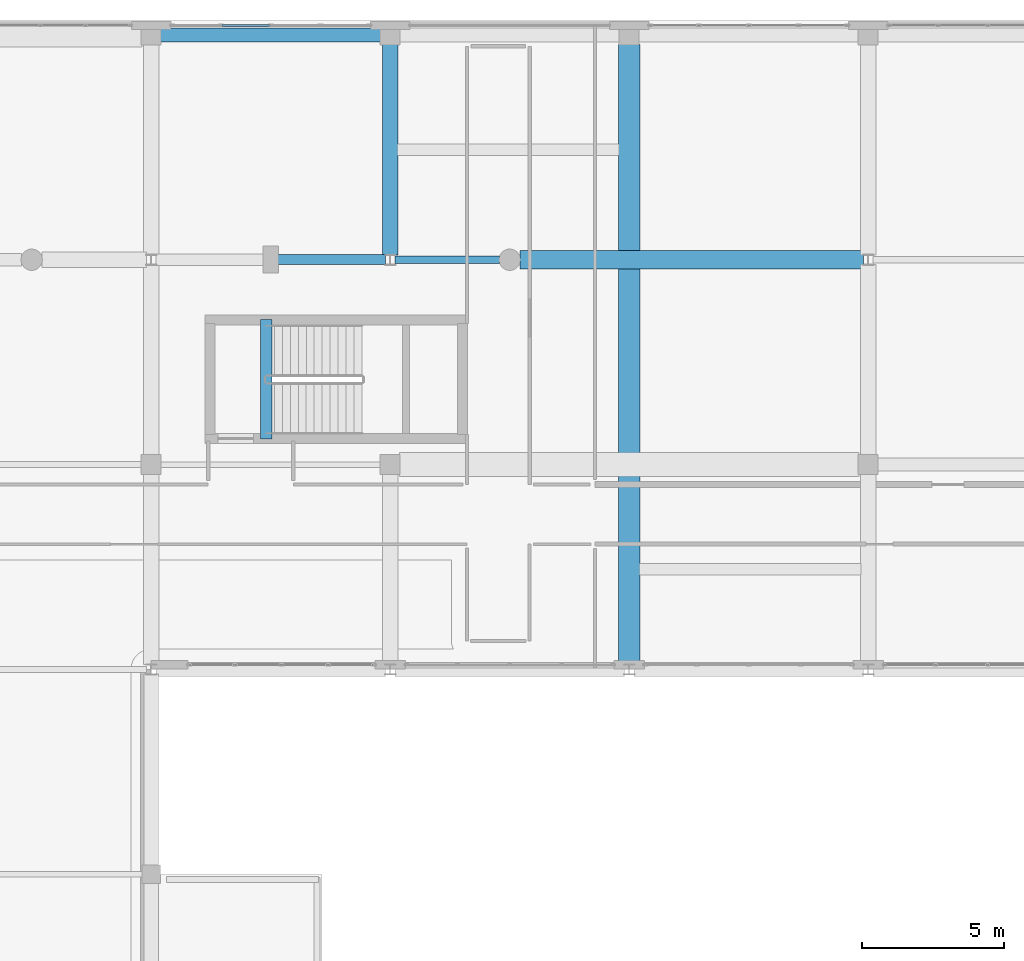
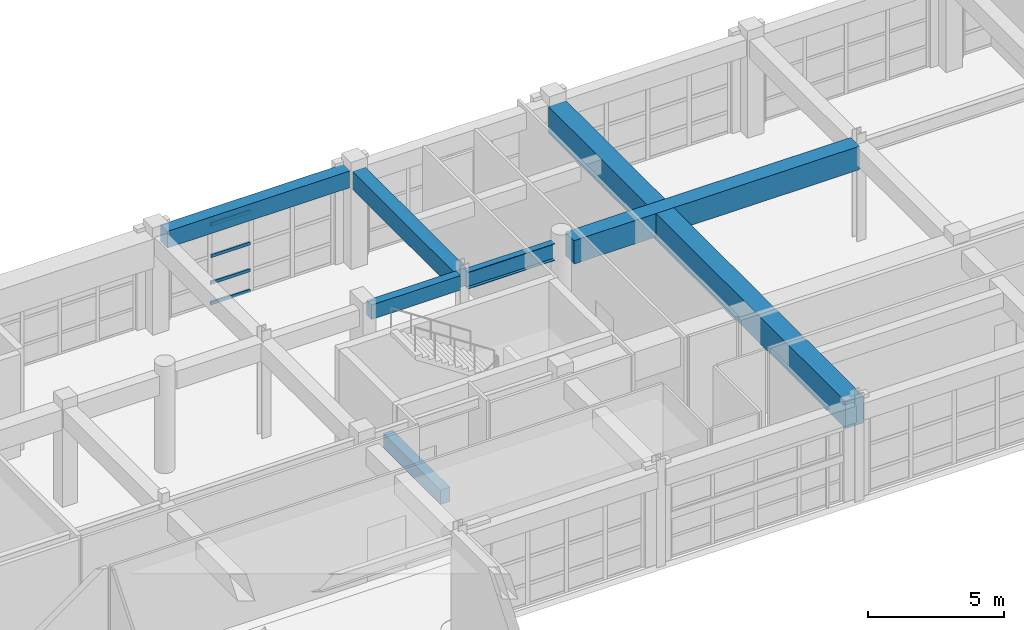
# One storey, part 71 of 123: 7 beams, 4 members, 1 element without a shape of its own.
"""IFC4 building model written with IfcOpenShell, lengths in metres."""

from ifc_helpers import new_model, si_unit, direction, frame, origin, origin_2d, place, context, subcontext, project, spatial, rectangle, hollow_rectangle, i_section, extrude, material, layer, layer_set, material_profile, profile_set, type_object, element, aggregate, save


model = new_model("IFC4")

# Units and contexts
model_context = context("Model", 3, precision=1e-05, world=origin(), true_north=direction((0.0, 1.0)))
body_context = subcontext(model_context, "Body", "Model", "MODEL_VIEW")
ifc_project = project(units=[si_unit("LENGTHUNIT", "METRE"), si_unit("AREAUNIT", "SQUARE_METRE"), si_unit("VOLUMEUNIT", "CUBIC_METRE"), si_unit("PLANEANGLEUNIT", "RADIAN"), si_unit("MASSUNIT", "GRAM", prefix="KILO")], contexts=[model_context])

# Site, building, storey
site_placement = place(None, origin())
site = spatial("IfcSite", under=ifc_project, at=site_placement, CompositionType="ELEMENT")
building_placement = place(site_placement, origin())
building = spatial("IfcBuilding", under=site, at=building_placement, Name="Quendrovan Civic Courthouse", CompositionType="ELEMENT")
storey_placement = place(building_placement, frame((0.0, 0.0, 5.39990234375)))
storey = spatial("IfcBuildingStorey", under=building, at=storey_placement, Name="L02", CompositionType="ELEMENT", Elevation=5.39990234375)

# Beams
ifc_material_1 = material(Name="Post-tensioned concrete C50/60", Category="concrete")
ifc_material_profile_1 = material_profile(ifc_material_1, rectangle(XDim=0.64990234375, YDim=1.050048828125, at=origin_2d()), Name="PT-GRD-650x1050")
ifc_profile_set_1 = profile_set([ifc_material_profile_1], Name="Post-tensioned concrete C50/60")
beam_type_1 = type_object("IfcBeamType", Name="BM-PT1050", PredefinedType="BEAM", material=ifc_profile_set_1)
beam_1_placement = place(storey_placement, frame((122.155029296875, 102.0, 3.835205078125), z_axis=(1.0, 0.0, 0.0), x_axis=(0.0, 1.0, 0.0)))
element("IfcBeam", 1, at=beam_1_placement, inside=storey, type_object=beam_type_1, Name="L02 Girder X0587", PredefinedType="BEAM", context=body_context, shape_type="SweptSolid", body=[
    extrude(rectangle(XDim=0.64990234375, YDim=1.050048828125, at=origin_2d()), origin(), (0.0, 0.0, 1.0), 12.077880859375),
])
ifc_material_profile_2 = material_profile(ifc_material_1, rectangle(XDim=0.75, YDim=1.199951171875, at=origin_2d()), Name="PT-GIRD-750x1200")
ifc_profile_set_2 = profile_set([ifc_material_profile_2], Name="Post-tensioned concrete C50/60")
beam_type_2 = type_object("IfcBeamType", Name="BM-PT1200", PredefinedType="BEAM", material=ifc_profile_set_2)
beam_2_placement = place(storey_placement, frame((126.0, 87.76611328125, 3.760009765625), z_axis=(0.0, 1.0, 0.0), x_axis=(-1.0, 0.0, 0.0)))
element("IfcBeam", 2, at=beam_2_placement, inside=storey, type_object=beam_type_2, Name="L02 Girder Y0698", PredefinedType="BEAM", context=body_context, shape_type="SweptSolid", body=[
    extrude(rectangle(XDim=0.75, YDim=1.199951171875, at=origin_2d()), origin(), (0.0, 0.0, 1.0), 21.803955078125),
])
ifc_material_2 = material(Name="Concrete C40/50", Category="concrete")
ifc_material_profile_3 = material_profile(ifc_material_2, rectangle(XDim=0.39990234375, YDim=0.64990234375, at=origin_2d()), Name="RC-BM-400x650")
ifc_profile_set_3 = profile_set([ifc_material_profile_3], Name="Concrete C40/50")
beam_type_3 = type_object("IfcBeamType", Name="BM-RC650", PredefinedType="JOIST", material=ifc_profile_set_3)
beam_3_placement = place(storey_placement, frame((113.25, 95.699951171875, -0.324951171875), z_axis=(0.0, 1.0, 0.0), x_axis=(-1.0, 0.0, 0.0)))
element("IfcBeam", 3, at=beam_3_placement, inside=storey, type_object=beam_type_3, Name="L02 Stair ST6 Landing Trimmer Beam", PredefinedType="JOIST", context=body_context, shape_type="SweptSolid", body=[
    extrude(rectangle(XDim=0.39990234375, YDim=0.64990234375, at=origin_2d()), origin(), (0.0, 0.0, 1.0), 4.199951171875),
])
ifc_material_profile_4 = material_profile(ifc_material_2, rectangle(XDim=0.35009765625, YDim=0.64990234375, at=origin_2d()), Name="RC-BM-350x650")
ifc_profile_set_4 = profile_set([ifc_material_profile_4], Name="Concrete C40/50")
beam_type_4 = type_object("IfcBeamType", Name="BM-RC650B", PredefinedType="BEAM", material=ifc_profile_set_4)
beam_4_placement = place(storey_placement, frame((113.655029296875, 102.0, 4.03515625), z_axis=(1.0, 0.0, 0.0), x_axis=(0.0, 1.0, 0.0)))
element("IfcBeam", 4, at=beam_4_placement, inside=storey, type_object=beam_type_4, Name="L02 Girder X0585", PredefinedType="BEAM", context=body_context, shape_type="SweptSolid", body=[
    extrude(rectangle(XDim=0.35009765625, YDim=0.64990234375, at=origin_2d()), origin(), (0.0, 0.0, 1.0), 3.778076171875),
])
ifc_material_profile_5 = material_profile(ifc_material_2, rectangle(XDim=0.5, YDim=0.75, at=origin_2d()), Name="RC-BM-500x750")
ifc_profile_set_5 = profile_set([ifc_material_profile_5], Name="Concrete C40/50")
beam_type_5 = type_object("IfcBeamType", Name="BM-RC750", PredefinedType="SPANDREL", material=ifc_profile_set_5)
beam_5_placement = place(storey_placement, frame((109.530029296875, 109.89990234375, 3.985107421875), z_axis=(1.0, 0.0, 0.0), x_axis=(0.0, 1.0, 0.0)))
element("IfcBeam", 5, at=beam_5_placement, inside=storey, type_object=beam_type_5, Name="L02 Girder X0599", PredefinedType="SPANDREL", context=body_context, shape_type="SweptSolid", body=[
    extrude(rectangle(XDim=0.5, YDim=0.75, at=origin_2d()), origin(), (0.0, 0.0, 1.0), 7.739990234375),
])
ifc_material_profile_6 = material_profile(ifc_material_2, rectangle(XDim=0.550048828125, YDim=0.800048828125, at=origin_2d()), Name="RC-BM-550x800")
ifc_profile_set_6 = profile_set([ifc_material_profile_6], Name="Concrete C40/50")
beam_type_6 = type_object("IfcBeamType", Name="BM-RC800", PredefinedType="BEAM", material=ifc_profile_set_6)
beam_6_placement = place(storey_placement, frame((117.60009765625, 102.166015625, 3.960205078125), z_axis=(0.0, 1.0, 0.0), x_axis=(-1.0, 0.0, 0.0)))
element("IfcBeam", 6, at=beam_6_placement, inside=storey, type_object=beam_type_6, Name="L02 Girder Y0697", PredefinedType="BEAM", context=body_context, shape_type="SweptSolid", body=[
    extrude(rectangle(XDim=0.550048828125, YDim=0.800048828125, at=origin_2d()), origin(), (0.0, 0.0, 1.0), 7.404052734375),
])
ifc_material_3 = material(Name="Steel ASTM A992 Grade 50", Category="steel")
ifc_material_profile_7 = material_profile(ifc_material_3, i_section(OverallWidth=0.26611328125, OverallDepth=0.758056640625, WebThickness=0.013916015625, FlangeThickness=0.019287109375, at=origin_2d()), Name="W30X108")
ifc_profile_set_7 = profile_set([ifc_material_profile_7], Name="Steel ASTM A992 Grade 50")
beam_type_7 = type_object("IfcBeamType", Name="BM-STL-W30", PredefinedType="BEAM", material=ifc_profile_set_7)
beam_7_placement = place(storey_placement, frame((117.76708984375, 102.0, 3.981201171875), z_axis=(1.0, 0.0, 0.0), x_axis=(0.0, 1.0, 0.0)))
element("IfcBeam", 7, at=beam_7_placement, inside=storey, type_object=beam_type_7, Name="L02 Girder X0586", PredefinedType="BEAM", context=body_context, shape_type="SweptSolid", body=[
    extrude(i_section(OverallWidth=0.26611328125, OverallDepth=0.758056640625, WebThickness=0.013916015625, FlangeThickness=0.019287109375, at=origin_2d()), origin(), (0.0, 0.0, 1.0), 3.677978515625),
])

# Curtain wall, members
ifc_material_4 = material(Name="Bronze anodised aluminium and low-E glass", Category="aluminium")
ifc_layer = layer(ifc_material_4, 0.179931640625, Name="Bronze anodised aluminium and low-E glass")
ifc_layer_set = layer_set([ifc_layer], Name="Bronze anodised aluminium and low-E glass")
curtain_wall_type = type_object("IfcCurtainWallType", Name="CW-U70x36", PredefinedType="USERDEFINED", material=ifc_layer_set)
curtain_wall_placement = place(storey_placement, origin())
curtain_wall = element("IfcCurtainWall", 8, at=curtain_wall_placement, inside=storey, type_object=curtain_wall_type, Name="L02 Unitised Hurricane Curtain Wall CW-090", ObjectType="UNITISED CURTAIN WALL", PredefinedType="USERDEFINED")
ifc_material_5 = material(Name="Bronze anodised aluminium", Category="aluminium")
ifc_material_profile_8 = material_profile(ifc_material_5, hollow_rectangle(XDim=0.070068359375, YDim=0.139892578125, WallThickness=0.00390625, at=origin_2d()), Name="CW-TRAN-70x140")
ifc_profile_set_8 = profile_set([ifc_material_profile_8], Name="Bronze anodised aluminium")
member_type = type_object("IfcMemberType", Name="CW-TRAN-A", PredefinedType="USERDEFINED", material=ifc_profile_set_8)
member_1_placement = place(storey_placement, frame((111.68505859375, 110.235107421875, 0.03515625), z_axis=(1.0, 0.0, 0.0), x_axis=(0.0, 1.0, 0.0)))
member_1 = element("IfcMember", 9, at=member_1_placement, type_object=member_type, Name="CW-090 transom 2.1", ObjectType="TRANSOM", PredefinedType="USERDEFINED", context=body_context, shape_type="SweptSolid", body=[
    extrude(hollow_rectangle(XDim=0.070068359375, YDim=0.139892578125, WallThickness=0.00390625, at=origin_2d()), origin(), (0.0, 0.0, 1.0), 1.679931640625),
])
member_2_placement = place(storey_placement, frame((111.68505859375, 110.235107421875, 0.9501953125), z_axis=(1.0, 0.0, 0.0), x_axis=(0.0, 1.0, 0.0)))
member_2 = element("IfcMember", 10, at=member_2_placement, type_object=member_type, Name="CW-090 transom 2.2", ObjectType="TRANSOM", PredefinedType="USERDEFINED", context=body_context, shape_type="SweptSolid", body=[
    extrude(hollow_rectangle(XDim=0.070068359375, YDim=0.139892578125, WallThickness=0.00390625, at=origin_2d()), origin(), (0.0, 0.0, 1.0), 1.679931640625),
])
member_3_placement = place(storey_placement, frame((111.68505859375, 110.235107421875, 2.150146484375), z_axis=(1.0, 0.0, 0.0), x_axis=(0.0, 1.0, 0.0)))
member_3 = element("IfcMember", 11, at=member_3_placement, type_object=member_type, Name="CW-090 transom 2.3", ObjectType="TRANSOM", PredefinedType="USERDEFINED", context=body_context, shape_type="SweptSolid", body=[
    extrude(hollow_rectangle(XDim=0.070068359375, YDim=0.139892578125, WallThickness=0.00390625, at=origin_2d()), origin(), (0.0, 0.0, 1.0), 1.679931640625),
])
member_4_placement = place(storey_placement, frame((111.68505859375, 110.235107421875, 3.565185546875), z_axis=(1.0, 0.0, 0.0), x_axis=(0.0, 1.0, 0.0)))
member_4 = element("IfcMember", 12, at=member_4_placement, type_object=member_type, Name="CW-090 transom 2.4", ObjectType="TRANSOM", PredefinedType="USERDEFINED", context=body_context, shape_type="SweptSolid", body=[
    extrude(hollow_rectangle(XDim=0.070068359375, YDim=0.139892578125, WallThickness=0.00390625, at=origin_2d()), origin(), (0.0, 0.0, 1.0), 1.679931640625),
])
aggregate(curtain_wall, [member_1, member_2, member_3, member_4])

save(model, "model.ifc")
